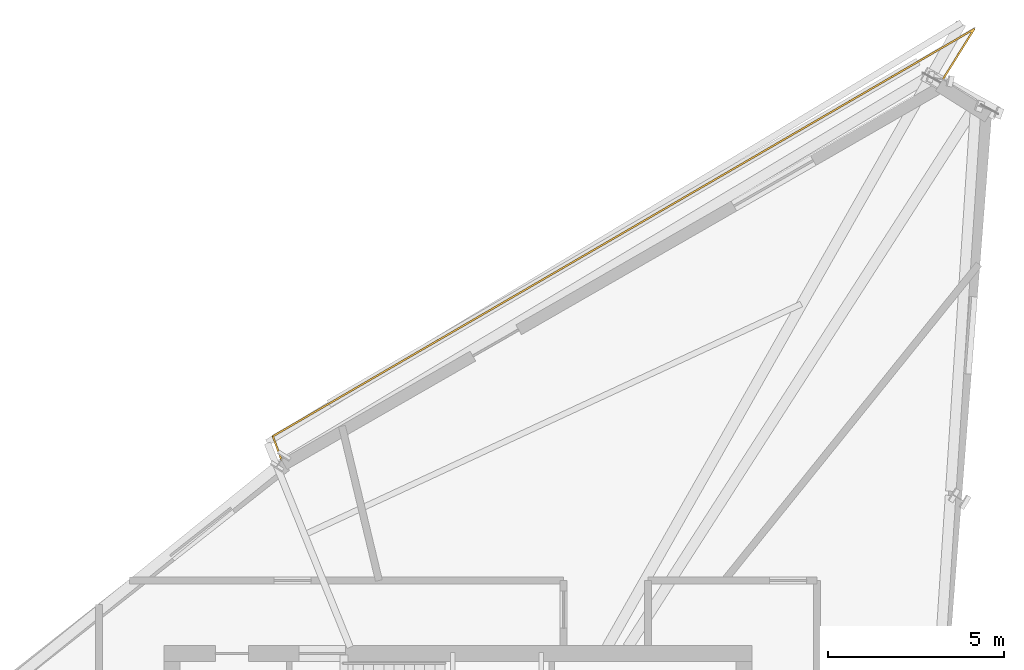
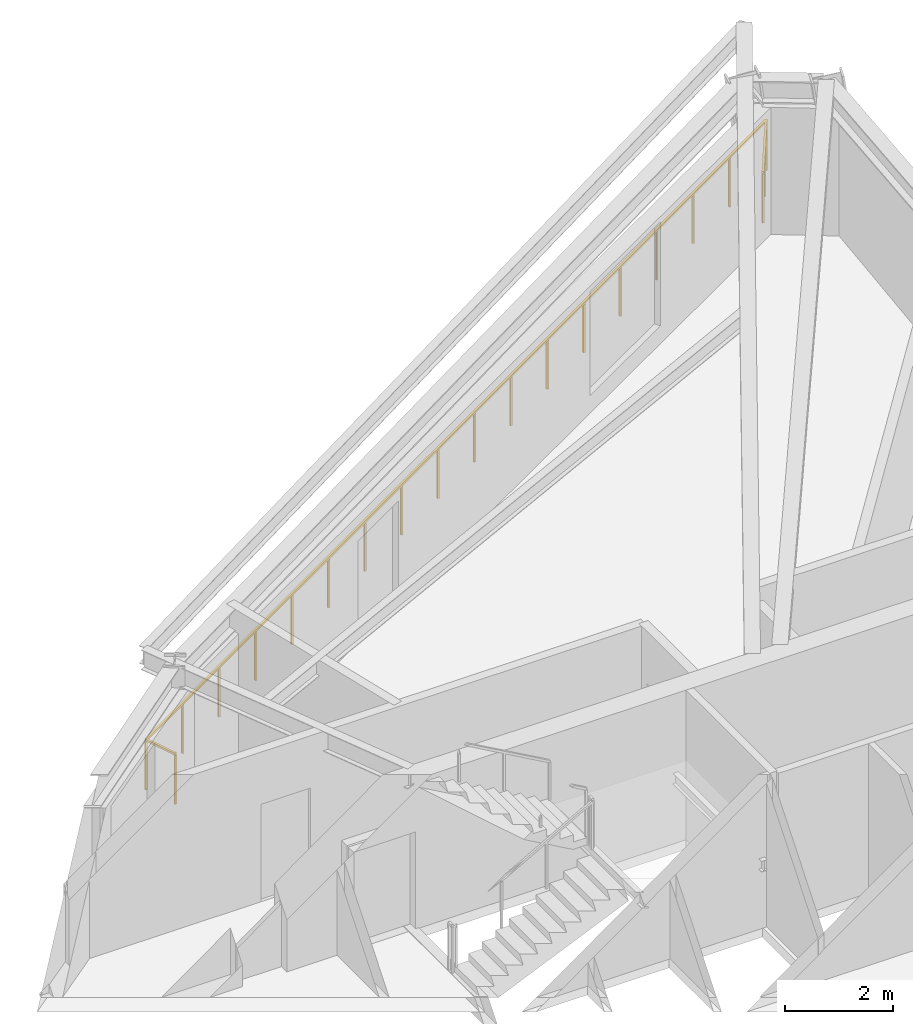
# One storey, part 15 of 15: 1 railing.
"""IFC4 building model written with IfcOpenShell, lengths in metres."""

from ifc_helpers import new_model, si_unit, direction, frame, origin, origin_2d, place, context, subcontext, project, spatial, rectangle, extrude, material, type_object, element, save


model = new_model("IFC4")

# Units and contexts
model_context = context("Model", 3, precision=1e-05, world=origin(), true_north=direction((0.0, 1.0)))
body_context = subcontext(model_context, "Body", "Model", "MODEL_VIEW")
ifc_project = project(units=[si_unit("LENGTHUNIT", "METRE"), si_unit("AREAUNIT", "SQUARE_METRE"), si_unit("VOLUMEUNIT", "CUBIC_METRE"), si_unit("PLANEANGLEUNIT", "RADIAN"), si_unit("MASSUNIT", "GRAM", prefix="KILO")], contexts=[model_context])

# Site, building, storey
site_placement = place(None, origin())
site = spatial("IfcSite", under=ifc_project, at=site_placement, CompositionType="ELEMENT")
building_placement = place(site_placement, origin())
building = spatial("IfcBuilding", under=site, at=building_placement, Name="Olszyna Solenne Hotel", CompositionType="ELEMENT")
storey_placement = place(building_placement, frame((0.0, 0.0, 270.5)))
storey = spatial("IfcBuildingStorey", under=building, at=storey_placement, Name="L72", CompositionType="ELEMENT", Elevation=270.5)

# Railing
ifc_material = material(Name="Anodised bronze aluminium", Category="aluminium")
railing_type = type_object("IfcRailingType", Name="GR-110", PredefinedType="BALUSTRADE", material=ifc_material)
railing_placement = place(storey_placement, frame((51.768798828125, 50.234375, 0.0)))
element("IfcRailing", 1, at=railing_placement, inside=storey, type_object=railing_type, Name="Loggia balcony balustrade guard GR-L72-LG1", PredefinedType="BALUSTRADE", context=body_context, shape_type="SweptSolid", body=[
    extrude(rectangle(XDim=0.048095703125, YDim=0.048095703125, at=origin_2d()), frame((0.0, 0.0, 1.1259765625), z_axis=(0.529609739485, 0.848241430162, 0.0), x_axis=(-0.848241430162, 0.529609739485, 0.0)), (0.0, 0.0, 1.0), 1.69189453125),
    extrude(rectangle(XDim=0.048095703125, YDim=0.048095703125, at=origin_2d()), frame((0.89599609375, 1.43505859375, 1.1259765625), z_axis=(-0.864811208573, -0.502097175382, 0.0), x_axis=(0.502097175382, -0.864811208573, 0.0)), (0.0, 0.0, 1.0), 23.0419921875),
    extrude(rectangle(XDim=0.048095703125, YDim=0.048095703125, at=origin_2d()), frame((-19.031005859375, -10.13427734375, 1.1259765625), z_axis=(0.3380367642, -0.941132905624, 0.0), x_axis=(0.941132905624, 0.3380367642, 0.0)), (0.0, 0.0, 1.0), 0.709228515625),
    extrude(rectangle(XDim=0.0419921875, YDim=0.0419921875, at=origin_2d()), origin(), (0.0, 0.0, 1.0), 1.101806640625),
    extrude(rectangle(XDim=0.0419921875, YDim=0.0419921875, at=origin_2d()), frame((0.447998046875, 0.717529296875, 0.0)), (0.0, 0.0, 1.0), 1.101806640625),
    extrude(rectangle(XDim=0.0419921875, YDim=0.0419921875, at=origin_2d()), frame((0.89599609375, 1.43505859375, 0.0)), (0.0, 0.0, 1.0), 1.101806640625),
    extrude(rectangle(XDim=0.0419921875, YDim=0.0419921875, at=origin_2d()), frame((-0.276123046875, 0.75439453125, 0.0)), (0.0, 0.0, 1.0), 1.101806640625),
    extrude(rectangle(XDim=0.0419921875, YDim=0.0419921875, at=origin_2d()), frame((-1.4482421875, 0.073974609375, 0.0)), (0.0, 0.0, 1.0), 1.101806640625),
    extrude(rectangle(XDim=0.0419921875, YDim=0.0419921875, at=origin_2d()), frame((-2.62060546875, -0.606689453125, 0.0)), (0.0, 0.0, 1.0), 1.101806640625),
    extrude(rectangle(XDim=0.0419921875, YDim=0.0419921875, at=origin_2d()), frame((-3.792724609375, -1.287109375, 0.0)), (0.0, 0.0, 1.0), 1.101806640625),
    extrude(rectangle(XDim=0.0419921875, YDim=0.0419921875, at=origin_2d()), frame((-4.96484375, -1.9677734375, 0.0)), (0.0, 0.0, 1.0), 1.101806640625),
    extrude(rectangle(XDim=0.0419921875, YDim=0.0419921875, at=origin_2d()), frame((-6.136962890625, -2.648193359375, 0.0)), (0.0, 0.0, 1.0), 1.101806640625),
    extrude(rectangle(XDim=0.0419921875, YDim=0.0419921875, at=origin_2d()), frame((-7.309326171875, -3.328857421875, 0.0)), (0.0, 0.0, 1.0), 1.101806640625),
    extrude(rectangle(XDim=0.0419921875, YDim=0.0419921875, at=origin_2d()), frame((-8.4814453125, -4.00927734375, 0.0)), (0.0, 0.0, 1.0), 1.101806640625),
    extrude(rectangle(XDim=0.0419921875, YDim=0.0419921875, at=origin_2d()), frame((-9.653564453125, -4.68994140625, 0.0)), (0.0, 0.0, 1.0), 1.101806640625),
    extrude(rectangle(XDim=0.0419921875, YDim=0.0419921875, at=origin_2d()), frame((-10.82568359375, -5.370361328125, 0.0)), (0.0, 0.0, 1.0), 1.101806640625),
    extrude(rectangle(XDim=0.0419921875, YDim=0.0419921875, at=origin_2d()), frame((-11.998046875, -6.051025390625, 0.0)), (0.0, 0.0, 1.0), 1.101806640625),
    extrude(rectangle(XDim=0.0419921875, YDim=0.0419921875, at=origin_2d()), frame((-13.170166015625, -6.7314453125, 0.0)), (0.0, 0.0, 1.0), 1.101806640625),
    extrude(rectangle(XDim=0.0419921875, YDim=0.0419921875, at=origin_2d()), frame((-14.34228515625, -7.412109375, 0.0)), (0.0, 0.0, 1.0), 1.101806640625),
    extrude(rectangle(XDim=0.0419921875, YDim=0.0419921875, at=origin_2d()), frame((-15.514404296875, -8.092529296875, 0.0)), (0.0, 0.0, 1.0), 1.101806640625),
    extrude(rectangle(XDim=0.0419921875, YDim=0.0419921875, at=origin_2d()), frame((-16.686767578125, -8.773193359375, 0.0)), (0.0, 0.0, 1.0), 1.101806640625),
    extrude(rectangle(XDim=0.0419921875, YDim=0.0419921875, at=origin_2d()), frame((-17.85888671875, -9.45361328125, 0.0)), (0.0, 0.0, 1.0), 1.101806640625),
    extrude(rectangle(XDim=0.0419921875, YDim=0.0419921875, at=origin_2d()), frame((-19.031005859375, -10.13427734375, 0.0)), (0.0, 0.0, 1.0), 1.101806640625),
    extrude(rectangle(XDim=0.0419921875, YDim=0.0419921875, at=origin_2d()), frame((-18.791259765625, -10.8017578125, 0.0)), (0.0, 0.0, 1.0), 1.101806640625),
])

save(model, "model.ifc")
